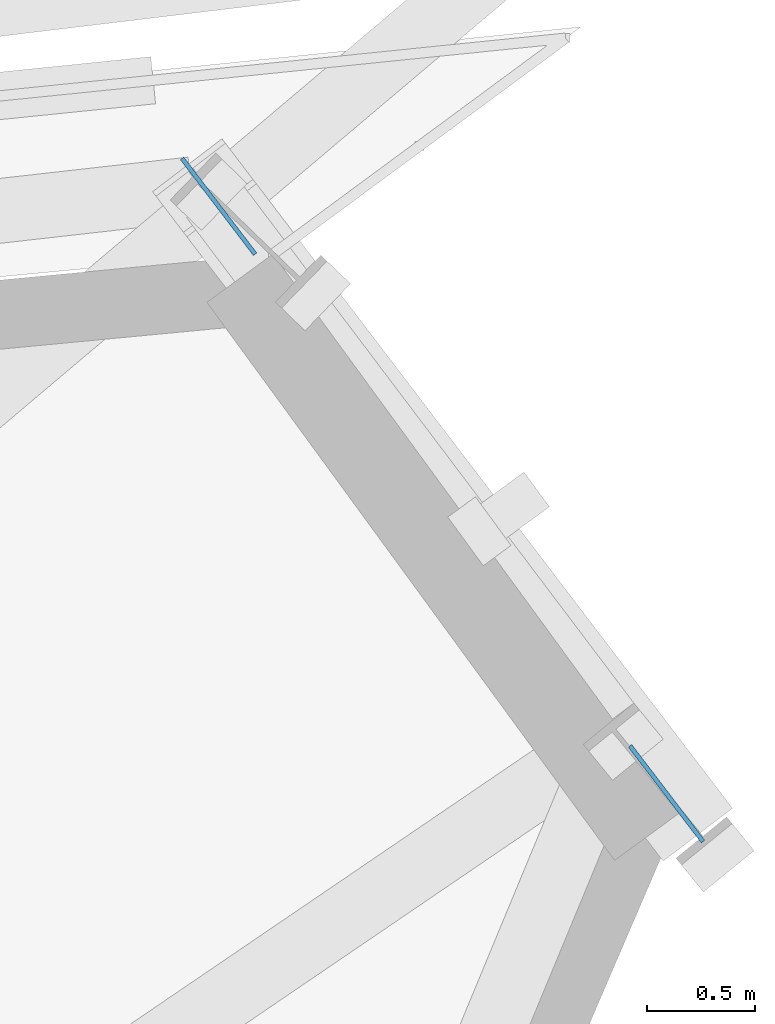
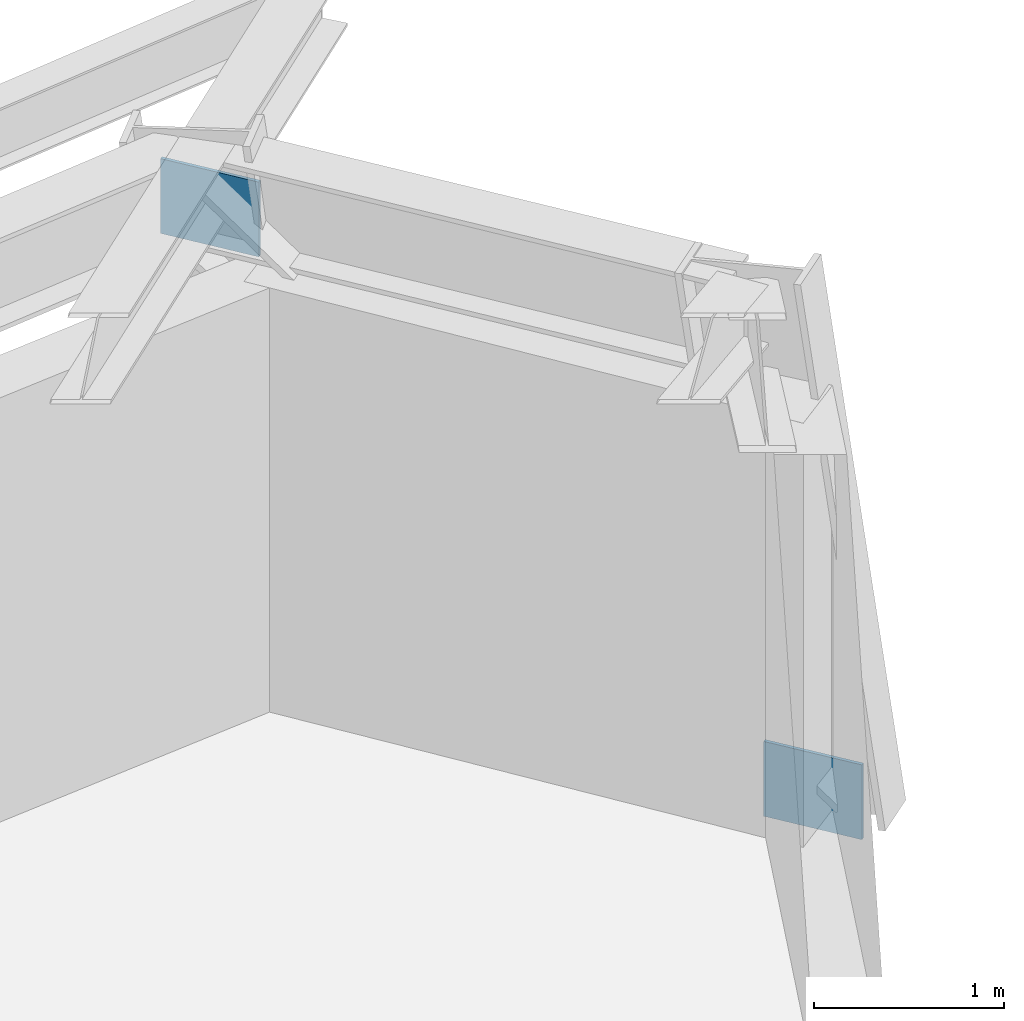
# One storey, part 7 of 14: 2 plates.
"""IFC4 building model written with IfcOpenShell, lengths in metres."""

from ifc_helpers import new_model, si_unit, direction, frame, origin, origin_2d, place, context, subcontext, project, spatial, rectangle, extrude, source, transform, mapped, material, type_object, element, save


model = new_model("IFC4")

# Units and contexts
model_context = context("Model", 3, precision=1e-05, world=origin(), true_north=direction((0.0, 1.0)))
body_context = subcontext(model_context, "Body", "Model", "MODEL_VIEW")
ifc_project = project(units=[si_unit("LENGTHUNIT", "METRE"), si_unit("AREAUNIT", "SQUARE_METRE"), si_unit("VOLUMEUNIT", "CUBIC_METRE"), si_unit("PLANEANGLEUNIT", "RADIAN"), si_unit("MASSUNIT", "GRAM", prefix="KILO")], contexts=[model_context])

# Site, building, storey
site_placement = place(None, origin())
site = spatial("IfcSite", under=ifc_project, at=site_placement, CompositionType="ELEMENT")
building_placement = place(site_placement, origin())
building = spatial("IfcBuilding", under=site, at=building_placement, Name="Olszyna Solenne Hotel", CompositionType="ELEMENT")
storey_placement = place(building_placement, frame((0.0, 0.0, 182.10009765625)))
storey = spatial("IfcBuildingStorey", under=building, at=storey_placement, Name="L48", CompositionType="ELEMENT", Elevation=182.10009765625)

# Plates
ifc_material = material(Name="Steel S355J2", Category="steel")
plate_type = type_object("IfcPlateType", Name="GP-ND2", PredefinedType="USERDEFINED", material=ifc_material)
shared_shape = source(origin(), body_context, "Body", "SweptSolid", [
    extrude(rectangle(XDim=0.56005859375, YDim=0.02001953125, at=origin_2d()), origin(), (0.0, 0.0, 1.0), 0.47998046875),
])
for number, where, z_axis, x_axis, name in (
    (1, (62.314208984375, 42.69873046875, -0.141357421875), (0.0, 0.0, 1.0), (-0.60640482612, 0.795156077043, 0.0), "Brace end connection gusset plate GP-ND2 EP-BR-L48-1-1"),
    (2, (60.23095703125, 45.430419921875, 2.671142578125), (0.0, 0.0, 1.0), (-0.60640482612, 0.795156077043, 0.0), "Brace end connection gusset plate GP-ND2 EP-BR-L48-1-2"),
):
    element("IfcPlate", number, at=place(storey_placement, frame(where, z_axis=z_axis, x_axis=x_axis)), inside=storey, type_object=plate_type, Name=name, ObjectType="GUSSET_PLATE", PredefinedType="USERDEFINED", context=body_context, shape_type="MappedRepresentation", body=[
        mapped(shared_shape, transform((0.0, 0.0, 0.0), x_axis=(1.0, 0.0, 0.0), y_axis=(0.0, 1.0, 0.0), z_axis=(0.0, 0.0, 1.0), scale=1.0)),
    ])

save(model, "model.ifc")
